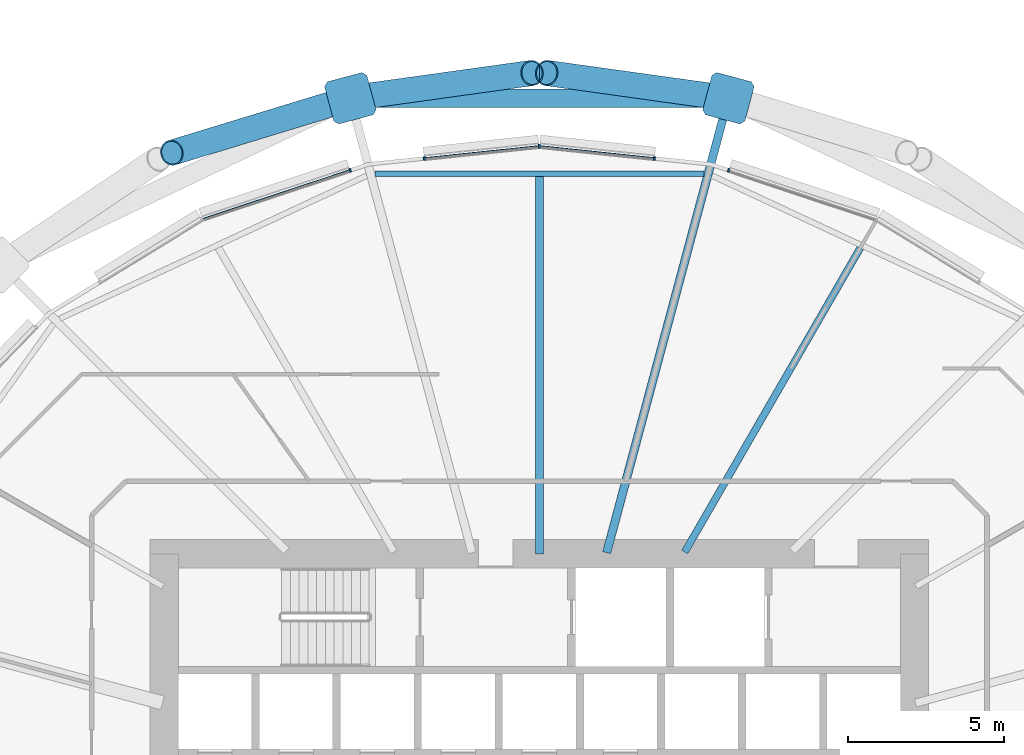
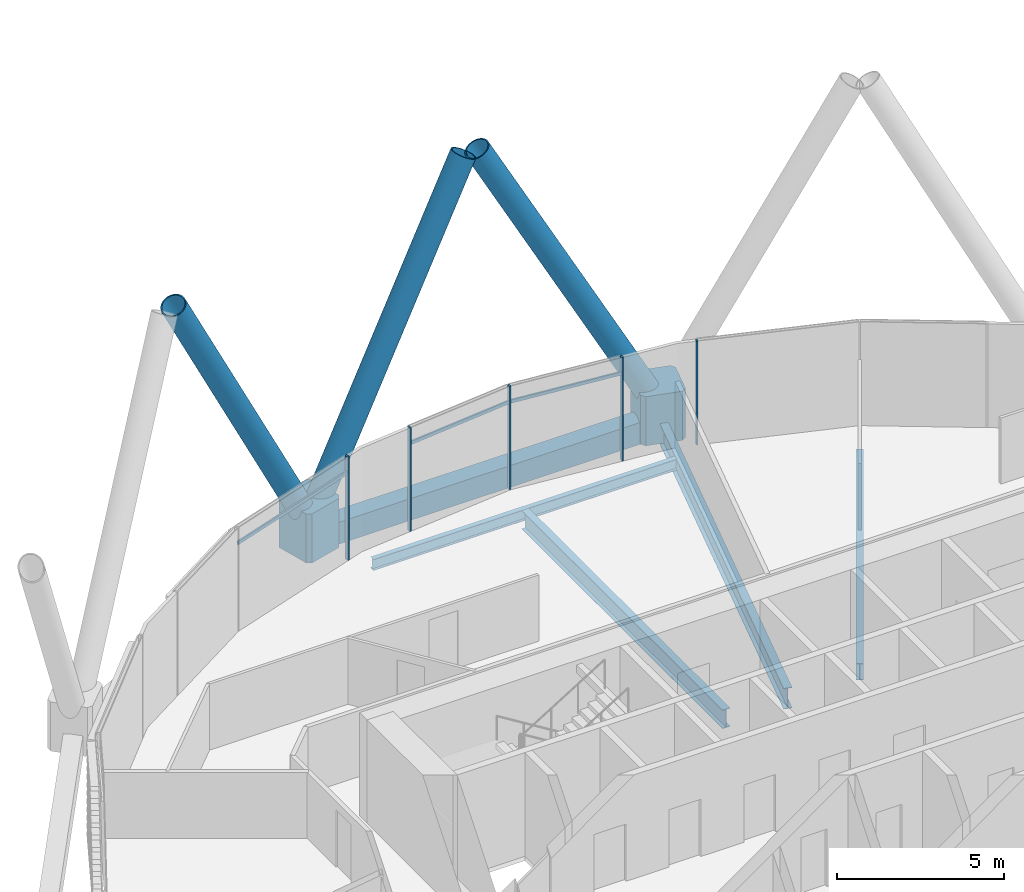
# One storey, part 9 of 36: 13 members, 5 beams, 1 element without a shape of its own.
"""IFC4 building model written with IfcOpenShell, lengths in metres."""

from ifc_helpers import new_model, si_unit, direction, frame, origin, origin_2d, place, context, subcontext, project, spatial, polyline, rectangle, hollow_rectangle, hollow_circle, i_section, outline, extrude, material, material_profile, profile_set, type_object, element, aggregate, save


model = new_model("IFC4")

# Units and contexts
model_context = context("Model", 3, precision=1e-05, world=origin(), true_north=direction((0.0, 1.0)))
body_context = subcontext(model_context, "Body", "Model", "MODEL_VIEW")
ifc_project = project(units=[si_unit("LENGTHUNIT", "METRE"), si_unit("AREAUNIT", "SQUARE_METRE"), si_unit("VOLUMEUNIT", "CUBIC_METRE"), si_unit("PLANEANGLEUNIT", "RADIAN"), si_unit("MASSUNIT", "GRAM", prefix="KILO")], contexts=[model_context])

# Site, building, storey
site_placement = place(None, origin())
site = spatial("IfcSite", under=ifc_project, at=site_placement, CompositionType="ELEMENT")
building_placement = place(site_placement, origin())
building = spatial("IfcBuilding", under=site, at=building_placement, Name="Rimbun Link Towers", CompositionType="ELEMENT")
storey_placement = place(building_placement, frame((0.0, 0.0, 64.199951171875)))
storey = spatial("IfcBuildingStorey", under=building, at=storey_placement, Name="L15", CompositionType="ELEMENT", Elevation=64.199951171875)

# Curtain wall, members
ifc_material_1 = material(Name="Aluminium 6063-T6 and low-iron glass", Category="aluminium")
curtain_wall_type = type_object("IfcCurtainWallType", Name="CW1 unitised vision wall", PredefinedType="NOTDEFINED", material=ifc_material_1)
curtain_wall_placement = place(storey_placement, origin())
curtain_wall = element("IfcCurtainWall", 1, at=curtain_wall_placement, inside=storey, type_object=curtain_wall_type, Name="CW1 L15 T1", PredefinedType="NOTDEFINED")
ifc_material_2 = material(Name="Aluminium 6063-T6", Category="aluminium")
ifc_material_profile_1 = material_profile(ifc_material_2, rectangle(XDim=0.1201171875, YDim=0.06005859375, at=origin_2d()), Name="MULLION 60X120")
ifc_profile_set_1 = profile_set([ifc_material_profile_1], Name="Aluminium 6063-T6")
member_type_1 = type_object("IfcMemberType", Name="CW1 mullion 60X120", PredefinedType="MULLION", material=ifc_profile_set_1)
member_1_placement = place(storey_placement, frame((-25.695068359375, 20.26953125, 0.0), z_axis=(0.0, 0.0, 1.0), x_axis=(0.314555783293, 0.949238989505, 0.0)))
member_1 = element("IfcMember", 2, at=member_1_placement, type_object=member_type_1, Name="CW1 mullion", PredefinedType="MULLION", context=body_context, shape_type="SweptSolid", body=[
    extrude(rectangle(XDim=0.1201171875, YDim=0.06005859375, at=origin_2d()), origin(), (0.0, 0.0, 1.0), 3.800048828125),
])
member_2_placement = place(storey_placement, frame((-31.75, 21.037109375, 0.0), z_axis=(0.0, 0.0, 1.0), x_axis=(0.0, 1.0, 0.0)))
member_2 = element("IfcMember", 3, at=member_2_placement, type_object=member_type_1, Name="CW1 mullion", PredefinedType="MULLION", context=body_context, shape_type="SweptSolid", body=[
    extrude(rectangle(XDim=0.1201171875, YDim=0.06005859375, at=origin_2d()), origin(), (0.0, 0.0, 1.0), 3.800048828125),
])
member_3_placement = place(storey_placement, frame((-28.0673828125, 20.6494140625, 0.0), z_axis=(0.0, 0.0, 1.0), x_axis=(0.104734976112, 0.994500168315, 0.0)))
member_3 = element("IfcMember", 4, at=member_3_placement, type_object=member_type_1, Name="CW1 mullion", PredefinedType="MULLION", context=body_context, shape_type="SweptSolid", body=[
    extrude(rectangle(XDim=0.1201171875, YDim=0.06005859375, at=origin_2d()), origin(), (0.0, 0.0, 1.0), 3.800048828125),
])
member_4_placement = place(storey_placement, frame((-35.4326171875, 20.6494140625, 0.0), z_axis=(0.0, 0.0, 1.0), x_axis=(-0.104734976112, 0.994500168315, 0.0)))
member_4 = element("IfcMember", 5, at=member_4_placement, type_object=member_type_1, Name="CW1 mullion", PredefinedType="MULLION", context=body_context, shape_type="SweptSolid", body=[
    extrude(rectangle(XDim=0.1201171875, YDim=0.06005859375, at=origin_2d()), origin(), (0.0, 0.0, 1.0), 3.800048828125),
])
member_5_placement = place(storey_placement, frame((-37.804931640625, 20.26953125, 0.0), z_axis=(0.0, 0.0, 1.0), x_axis=(-0.314555783293, 0.949238989505, 0.0)))
member_5 = element("IfcMember", 6, at=member_5_placement, type_object=member_type_1, Name="CW1 mullion", PredefinedType="MULLION", context=body_context, shape_type="SweptSolid", body=[
    extrude(rectangle(XDim=0.1201171875, YDim=0.06005859375, at=origin_2d()), origin(), (0.0, 0.0, 1.0), 3.800048828125),
])
ifc_material_3 = material(Name="Aluminium 6063-T6", Category="aluminium")
ifc_material_profile_2 = material_profile(ifc_material_3, rectangle(XDim=0.06005859375, YDim=0.1201171875, at=origin_2d()), Name="TRANSOM 60X120")
ifc_profile_set_2 = profile_set([ifc_material_profile_2], Name="Aluminium 6063-T6")
member_type_2 = type_object("IfcMemberType", Name="CW1 transom 60X120", PredefinedType="USERDEFINED", material=ifc_profile_set_2)
member_6_placement = place(storey_placement, frame((-31.714111328125, 21.031494140625, 3.199951171875), z_axis=(0.994501037845, -0.104726719255, 0.0), x_axis=(0.104726719255, 0.994501037845, 0.0)))
member_6 = element("IfcMember", 7, at=member_6_placement, type_object=member_type_2, Name="CW1 transom", ObjectType="TRANSOM", PredefinedType="USERDEFINED", context=body_context, shape_type="SweptSolid", body=[
    extrude(rectangle(XDim=0.06005859375, YDim=0.1201171875, at=origin_2d()), origin(), (0.0, 0.0, 1.0), 3.63671875),
])
member_7_placement = place(storey_placement, frame((-35.402587890625, 20.650634765625, 3.199951171875), z_axis=(0.994501037845, 0.104726719255, 0.0), x_axis=(-0.104726719255, 0.994501037845, 0.0)))
member_7 = element("IfcMember", 8, at=member_7_placement, type_object=member_type_2, Name="CW1 transom", ObjectType="TRANSOM", PredefinedType="USERDEFINED", context=body_context, shape_type="SweptSolid", body=[
    extrude(rectangle(XDim=0.06005859375, YDim=0.1201171875, at=origin_2d()), origin(), (0.0, 0.0, 1.0), 3.63671875),
])
member_8_placement = place(storey_placement, frame((-42.5048828125, 18.7099609375, 3.199951171875), z_axis=(0.949232441731, 0.314575541906, 0.0), x_axis=(-0.314575541906, 0.949232441731, 0.0)))
member_8 = element("IfcMember", 9, at=member_8_placement, type_object=member_type_2, Name="CW1 transom", ObjectType="TRANSOM", PredefinedType="USERDEFINED", context=body_context, shape_type="SweptSolid", body=[
    extrude(rectangle(XDim=0.06005859375, YDim=0.1201171875, at=origin_2d()), origin(), (0.0, 0.0, 1.0), 4.921875),
])
aggregate(curtain_wall, [member_1, member_2, member_3, member_4, member_5, member_6, member_7, member_8])

# Members
ifc_material_4 = material(Name="Steel S460NH", Category="steel")
ifc_material_profile_3 = material_profile(ifc_material_4, hollow_circle(Radius=0.406494140625, WallThickness=0.0400390625, at=origin_2d()), Name="Diagrid diagonal CHS 813x40")
ifc_profile_set_3 = profile_set([ifc_material_profile_3], Name="Steel S460NH")
member_type_3 = type_object("IfcMemberType", Name="Diagrid diagonal CHS 813x40", PredefinedType="BRACE", material=ifc_profile_set_3)
for number, where, z_axis, x_axis, name in (
    (10, (-25.93505859375, 22.607177734375, 0.440673828125), (-0.467708373319, 0.065061794714, 0.88148501995), (-0.13778090489, -0.990462731377, 0.0), "Diagrid diagonal T1 L15-L18 05b"),
    (11, (-37.56494140625, 22.607177734375, 0.440673828125), (0.467708373319, 0.065061794714, 0.88148501995), (-0.13778090489, 0.990462731377, 0.0), "Diagrid diagonal T1 L15-L18 07a"),
):
    element("IfcMember", number, at=place(storey_placement, frame(where, z_axis=z_axis, x_axis=x_axis)), inside=storey, type_object=member_type_3, Name=name, PredefinedType="BRACE", context=body_context, shape_type="SweptSolid", body=[
        extrude(hollow_circle(Radius=0.406494140625, WallThickness=0.0400390625, at=origin_2d()), origin(), (0.0, 0.0, 1.0), 11.932861328125),
    ])
member_9_placement = place(storey_placement, frame((-38.027587890625, 22.5048828125, 0.439208984375), z_axis=(-0.457450573038, -0.13964580948, 0.87820158342), x_axis=(0.291968491142, -0.956427937787, 0.0)))
element("IfcMember", 12, at=member_9_placement, inside=storey, type_object=member_type_3, Name="Diagrid diagonal T1 L15-L18 07b", PredefinedType="BRACE", context=body_context, shape_type="SweptSolid", body=[
    extrude(hollow_circle(Radius=0.406494140625, WallThickness=0.0400390625, at=origin_2d()), origin(), (0.0, 0.0, 1.0), 11.98095703125),
])
ifc_material_5 = material(Name="Cast steel G20Mn5+QT, Rp0.2 300 MPa", Category="steel")
ifc_material_profile_4 = material_profile(ifc_material_5, outline(polyline([(0.699951171875, -0.570068359375), (0.699951171875, 0.570068359375), (0.570068359375, 0.699951171875), (-0.570068359375, 0.699951171875), (-0.699951171875, 0.570068359375), (-0.699951171875, -0.570068359375), (-0.570068359375, -0.699951171875), (0.570068359375, -0.699951171875), (0.699951171875, -0.570068359375)])), Name="NODE 1400x1400")
ifc_profile_set_4 = profile_set([ifc_material_profile_4], Name="Cast steel G20Mn5+QT, Rp0.2 300 MPa")
member_type_4 = type_object("IfcMemberType", Name="Diagrid node cast 1400", PredefinedType="USERDEFINED", material=ifc_profile_set_4)
for number, where, z_axis, x_axis, name in (
    (13, (-25.701171875, 22.57470703125, -0.89990234375), (0.0, 0.0, 1.0), (0.258819045103, 0.965925826289, 0.0), "Diagrid node L15 05"),
    (14, (-37.798828125, 22.57470703125, -0.89990234375), (0.0, 0.0, 1.0), (-0.258819045103, 0.965925826289, 0.0), "Diagrid node L15 07"),
):
    element("IfcMember", number, at=place(storey_placement, frame(where, z_axis=z_axis, x_axis=x_axis)), inside=storey, type_object=member_type_4, Name=name, ObjectType="Diagrid node", PredefinedType="USERDEFINED", context=body_context, shape_type="SweptSolid", body=[
        extrude(outline(polyline([(0.699951171875, -0.570068359375), (0.699951171875, 0.570068359375), (0.570068359375, 0.699951171875), (-0.570068359375, 0.699951171875), (-0.699951171875, 0.570068359375), (-0.699951171875, -0.570068359375), (-0.570068359375, -0.699951171875), (0.570068359375, -0.699951171875), (0.699951171875, -0.570068359375)])), origin(), (0.0, 0.0, 1.0), 1.800048828125),
    ])

# Beams
ifc_material_6 = material(Name="Steel S355J2", Category="steel")
ifc_material_profile_5 = material_profile(ifc_material_6, hollow_rectangle(XDim=0.60009765625, YDim=0.800048828125, WallThickness=0.0400390625, at=origin_2d()), Name="Exoskeleton ring girder BOX 600x800x40")
ifc_profile_set_5 = profile_set([ifc_material_profile_5], Name="Steel S355J2")
beam_type_1 = type_object("IfcBeamType", Name="Exoskeleton ring girder BOX 600x800x40", PredefinedType="BEAM", material=ifc_profile_set_5)
beam_1_placement = place(storey_placement, frame((-26.401123046875, 22.57470703125, -0.56005859375), z_axis=(-1.0, 0.0, 0.0), x_axis=(0.0, -1.0, 0.0)))
element("IfcBeam", 15, at=beam_1_placement, inside=storey, type_object=beam_type_1, Name="Exoskeleton ring girder L15 02", PredefinedType="BEAM", context=body_context, shape_type="SweptSolid", body=[
    extrude(hollow_rectangle(XDim=0.60009765625, YDim=0.800048828125, WallThickness=0.0400390625, at=origin_2d()), origin(), (0.0, 0.0, 1.0), 10.69775390625),
])
ifc_material_7 = material(Name="Steel S355J2", Category="steel")
ifc_material_profile_6 = material_profile(ifc_material_7, i_section(OverallWidth=0.177978515625, OverallDepth=0.406494140625, WebThickness=0.0078125, FlangeThickness=0.0126953125, at=origin_2d()), Name="UB 406x178x60")
ifc_profile_set_6 = profile_set([ifc_material_profile_6], Name="Steel S355J2")
beam_type_2 = type_object("IfcBeamType", Name="UB 406x178x60", PredefinedType="BEAM", material=ifc_profile_set_6)
beam_2_placement = place(storey_placement, frame((-26.488037109375, 20.15673828125, -0.363037109375), z_axis=(-1.0, 0.0, 0.0), x_axis=(0.0, -1.0, 0.0)))
element("IfcBeam", 16, at=beam_2_placement, inside=storey, type_object=beam_type_2, Name="Edge beam T1 L15 05-07", PredefinedType="BEAM", context=body_context, shape_type="SweptSolid", body=[
    extrude(i_section(OverallWidth=0.177978515625, OverallDepth=0.406494140625, WebThickness=0.0078125, FlangeThickness=0.0126953125, at=origin_2d()), origin(), (0.0, 0.0, 1.0), 10.52392578125),
])
ifc_material_8 = material(Name="Steel S355J2", Category="steel")
ifc_material_profile_7 = material_profile(ifc_material_8, i_section(OverallWidth=0.2275390625, OverallDepth=0.6025390625, WebThickness=0.010498046875, FlangeThickness=0.014892578125, at=origin_2d()), Name="UB 610x229x101")
ifc_profile_set_7 = profile_set([ifc_material_profile_7], Name="Steel S355J2")
beam_type_3 = type_object("IfcBeamType", Name="UB 610x229x101", PredefinedType="BEAM", material=ifc_profile_set_7)
beam_3_placement = place(storey_placement, frame((-27.097900390625, 8.057861328125, -0.461181640625), z_axis=(0.50001148964, 0.866018770136, 0.0), x_axis=(-0.866018770136, 0.50001148964, 0.0)))
element("IfcBeam", 17, at=beam_3_placement, inside=storey, type_object=beam_type_3, Name="Radial beam T1 L15 04", PredefinedType="BEAM", context=body_context, shape_type="SweptSolid", body=[
    extrude(i_section(OverallWidth=0.2275390625, OverallDepth=0.6025390625, WebThickness=0.010498046875, FlangeThickness=0.014892578125, at=origin_2d()), origin(), (0.0, 0.0, 1.0), 11.235595703125),
])
ifc_material_9 = material(Name="Steel S355J2", Category="steel")
ifc_material_profile_8 = material_profile(ifc_material_9, i_section(OverallWidth=0.253662109375, OverallDepth=0.68359375, WebThickness=0.012451171875, FlangeThickness=0.01904296875, at=origin_2d()), Name="UB 686x254x140")
ifc_profile_set_8 = profile_set([ifc_material_profile_8], Name="Steel S355J2")
beam_type_4 = type_object("IfcBeamType", Name="UB 686x254x140", PredefinedType="BEAM", material=ifc_profile_set_8)
beam_4_placement = place(storey_placement, frame((-31.75, 8.0009765625, -0.501708984375), z_axis=(0.0, 1.0, 0.0), x_axis=(-1.0, 0.0, 0.0)))
element("IfcBeam", 18, at=beam_4_placement, inside=storey, type_object=beam_type_4, Name="Radial beam T1 L15 06", PredefinedType="BEAM", context=body_context, shape_type="SweptSolid", body=[
    extrude(i_section(OverallWidth=0.253662109375, OverallDepth=0.68359375, WebThickness=0.012451171875, FlangeThickness=0.01904296875, at=origin_2d()), origin(), (0.0, 0.0, 1.0), 12.06591796875),
])
ifc_material_10 = material(Name="Steel S355J2", Category="steel")
ifc_material_profile_9 = material_profile(ifc_material_10, i_section(OverallWidth=0.2666015625, OverallDepth=0.76220703125, WebThickness=0.014404296875, FlangeThickness=0.021484375, at=origin_2d()), Name="UB 762x267x173")
ifc_profile_set_9 = profile_set([ifc_material_profile_9], Name="Steel S355J2")
beam_type_5 = type_object("IfcBeamType", Name="UB 762x267x173", PredefinedType="BEAM", material=ifc_profile_set_9)
beam_5_placement = place(storey_placement, frame((-29.5966796875, 8.035400390625, -0.541015625), z_axis=(0.258804850559, 0.965929629594, 0.0), x_axis=(-0.965929629594, 0.258804850559, 0.0)))
element("IfcBeam", 19, at=beam_5_placement, inside=storey, type_object=beam_type_5, Name="Radial beam T1 L15 05", PredefinedType="BEAM", context=body_context, shape_type="SweptSolid", body=[
    extrude(i_section(OverallWidth=0.2666015625, OverallDepth=0.76220703125, WebThickness=0.014404296875, FlangeThickness=0.021484375, at=origin_2d()), origin(), (0.0, 0.0, 1.0), 14.552001953125),
])

save(model, "model.ifc")
